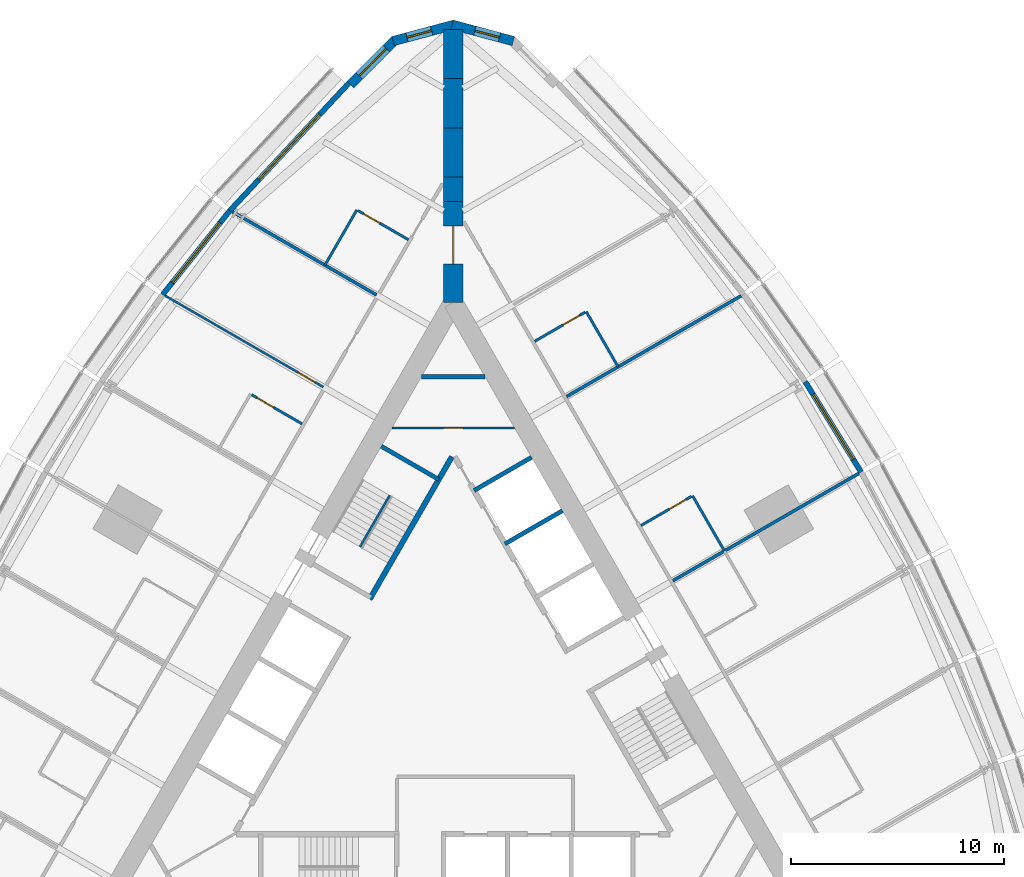
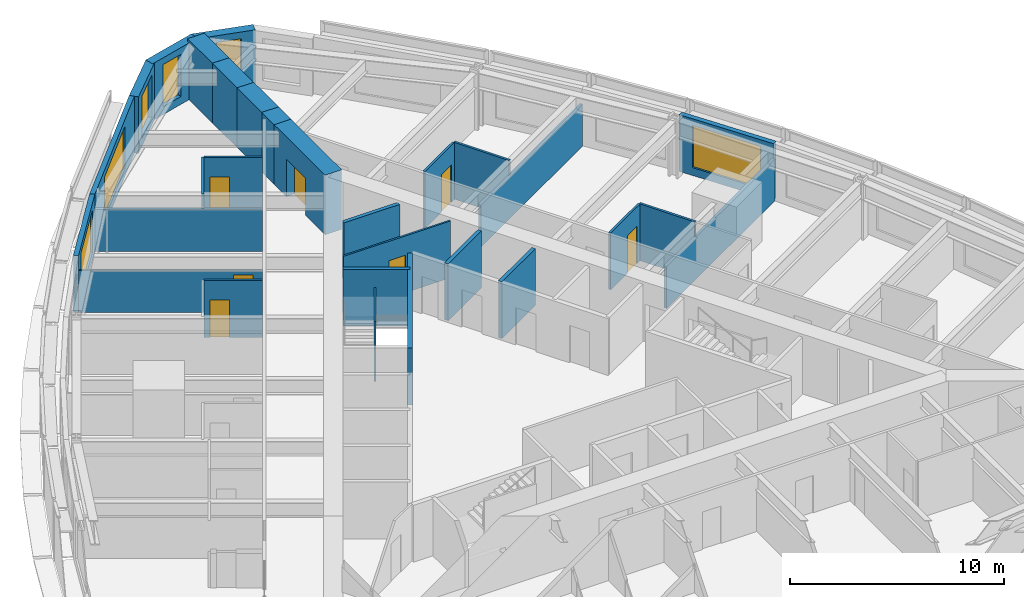
# One storey, part 12 of 14: 29 walls, 7 doors, 6 windows, 13 openings.
"""IFC4 building model written with IfcOpenShell, lengths in metres."""

from ifc_helpers import new_model, si_unit, direction, frame, frame_2d, origin, place, context, subcontext, project, spatial, polyline, rectangle, outline, extrude, material, layer, layer_set, type_object, element, fill, save


model = new_model("IFC4")

# Units and contexts
model_context = context("Model", 3, precision=1e-05, world=origin(), true_north=direction((0.0, 1.0)))
body_context = subcontext(model_context, "Body", "Model", "MODEL_VIEW")
ifc_project = project(units=[si_unit("LENGTHUNIT", "METRE"), si_unit("AREAUNIT", "SQUARE_METRE"), si_unit("VOLUMEUNIT", "CUBIC_METRE"), si_unit("PLANEANGLEUNIT", "RADIAN"), si_unit("MASSUNIT", "GRAM", prefix="KILO")], contexts=[model_context])

# Site, building, storey
site_placement = place(None, origin())
site = spatial("IfcSite", under=ifc_project, at=site_placement, CompositionType="ELEMENT")
building_placement = place(site_placement, origin())
building = spatial("IfcBuilding", under=site, at=building_placement, Name="Trikona Tower", CompositionType="ELEMENT")
storey_placement = place(building_placement, frame((0.0, 0.0, 96.5)))
storey = spatial("IfcBuildingStorey", under=building, at=storey_placement, Name="L25", CompositionType="ELEMENT", Elevation=96.5)

# Wall
ifc_material_1 = material(Name="Metal stud and cement board", Category="gypsum")
ifc_layer_1 = layer(ifc_material_1, 0.1201171875)
ifc_layer_set_1 = layer_set([ifc_layer_1], Name="Bathroom wall 120")
wall_type_1 = type_object("IfcWallType", Name="Bathroom wall 120", PredefinedType="PLUMBINGWALL", material=ifc_layer_set_1)
wall_1_placement = place(storey_placement, frame((12.75341796875, 7.363037109375, 0.0), z_axis=(0.0, 0.0, 1.0), x_axis=(-0.499990139034, 0.866031096941, 0.0)))
element("IfcWall", 1, at=wall_1_placement, inside=storey, type_object=wall_type_1, Name="Bathroom wall 2507", PredefinedType="PLUMBINGWALL", context=body_context, shape_type="SweptSolid", body=[
    extrude(rectangle(XDim=3.0, YDim=0.1201171875, at=frame_2d((1.5, 0.0))), origin(), (0.0, 0.0, 1.0), 3.235107421875),
])

# Wall, opening, door
wall_2_placement = place(storey_placement, frame((8.82861328125, 8.561279296875, 0.0), z_axis=(0.0, 0.0, 1.0), x_axis=(0.866035715982, 0.499982138324, 0.0)))
wall_2 = element("IfcWall", 2, at=wall_2_placement, inside=storey, type_object=wall_type_1, Name="Bathroom wall 2507", PredefinedType="PLUMBINGWALL", context=body_context, shape_type="SweptSolid", body=[
    extrude(rectangle(XDim=2.73974609375, YDim=0.1201171875, at=frame_2d((1.369873046875, 0.0))), origin(), (0.0, 0.0, 1.0), 3.235107421875),
])
opening_1_placement = place(wall_2_placement, frame((1.550048828125, 0.0, 0.0)))
opening_1 = element("IfcOpeningElement", 3, at=opening_1_placement, cuts=wall_2, Name="Opening D2", PredefinedType="OPENING", context=body_context, shape_type="SweptSolid", body=[
    extrude(rectangle(XDim=0.89990234375, YDim=2.1298828125, at=frame_2d((0.449951171875, 1.06494140625))), frame((0.0, 0.070068359375, 0.0), z_axis=(0.0, -1.0, 0.0), x_axis=(1.0, 0.0, 0.0)), (0.0, 0.0, 1.0), 0.14013671875),
])
ifc_material_2 = material(Name="Steel door frame with solid-core timber leaf", Category="steel")
door_type_1 = type_object("IfcDoorType", Name="Bathroom door 900x2130", OperationType="SLIDING_TO_LEFT", PredefinedType="DOOR", material=ifc_material_2)
door_1_placement = place(opening_1_placement, origin())
door_1 = element("IfcDoor", 4, at=door_1_placement, inside=storey, type_object=door_type_1, Name="Bathroom door 2507", OperationType="SLIDING_TO_LEFT", OverallHeight=2.1298828125, OverallWidth=0.89990234375, PredefinedType="DOOR", context=body_context, shape_type="SweptSolid", body=[
    extrude(rectangle(XDim=0.89990234375, YDim=2.1298828125, at=frame_2d((0.449951171875, 1.06494140625))), frame((0.0, 0.02490234375, 0.0), z_axis=(0.0, -1.0, 0.0), x_axis=(1.0, 0.0, 0.0)), (0.0, 0.0, 1.0), 0.050048828125),
])
fill(opening_1, door_1)

# Wall
wall_3_placement = place(storey_placement, frame((7.75341796875, 16.0234375, 0.0), z_axis=(0.0, 0.0, 1.0), x_axis=(-0.499990139034, 0.866031096941, 0.0)))
element("IfcWall", 5, at=wall_3_placement, inside=storey, type_object=wall_type_1, Name="Bathroom wall 2508.1", PredefinedType="PLUMBINGWALL", context=body_context, shape_type="SweptSolid", body=[
    extrude(rectangle(XDim=3.0, YDim=0.1201171875, at=frame_2d((1.5, 0.0))), origin(), (0.0, 0.0, 1.0), 3.235107421875),
])

# Wall, opening, door
wall_4_placement = place(storey_placement, frame((3.82861328125, 17.221435546875, 0.0), z_axis=(0.0, 0.0, 1.0), x_axis=(0.865997131366, 0.500048966069, 0.0)))
wall_4 = element("IfcWall", 6, at=wall_4_placement, inside=storey, type_object=wall_type_1, Name="Bathroom wall 2508.1", PredefinedType="PLUMBINGWALL", context=body_context, shape_type="SweptSolid", body=[
    extrude(rectangle(XDim=2.739990234375, YDim=0.1201171875, at=frame_2d((1.3701171875, 0.0))), origin(), (0.0, 0.0, 1.0), 3.235107421875),
])
opening_2_placement = place(wall_4_placement, frame((1.550048828125, 0.0, 0.0)))
opening_2 = element("IfcOpeningElement", 7, at=opening_2_placement, cuts=wall_4, Name="Opening D2", PredefinedType="OPENING", context=body_context, shape_type="SweptSolid", body=[
    extrude(rectangle(XDim=0.89990234375, YDim=2.1298828125, at=frame_2d((0.449951171875, 1.06494140625))), frame((0.0, 0.070068359375, 0.0), z_axis=(0.0, -1.0, 0.0), x_axis=(1.0, 0.0, 0.0)), (0.0, 0.0, 1.0), 0.14013671875),
])
door_2_placement = place(opening_2_placement, origin())
door_2 = element("IfcDoor", 8, at=door_2_placement, inside=storey, type_object=door_type_1, Name="Bathroom door 2508.1", OperationType="SLIDING_TO_LEFT", OverallHeight=2.1298828125, OverallWidth=0.89990234375, PredefinedType="DOOR", context=body_context, shape_type="SweptSolid", body=[
    extrude(rectangle(XDim=0.89990234375, YDim=2.1298828125, at=frame_2d((0.449951171875, 1.06494140625))), frame((0.0, 0.02490234375, 0.0), z_axis=(0.0, -1.0, 0.0), x_axis=(1.0, 0.0, 0.0)), (0.0, 0.0, 1.0), 0.050048828125),
])
fill(opening_2, door_2)

# Wall
wall_5_placement = place(storey_placement, frame((-4.53271484375, 23.401611328125, 0.0), z_axis=(0.0, 0.0, 1.0), x_axis=(-0.499990139034, -0.866031096941, 0.0)))
element("IfcWall", 9, at=wall_5_placement, inside=storey, type_object=wall_type_1, Name="Bathroom wall 2509", PredefinedType="PLUMBINGWALL", context=body_context, shape_type="SweptSolid", body=[
    extrude(rectangle(XDim=3.0, YDim=0.1201171875, at=frame_2d((1.5, 0.0))), origin(), (0.0, 0.0, 1.0), 3.235107421875),
])

# Wall, opening, door
wall_6_placement = place(storey_placement, frame((-2.10791015625, 22.001708984375, 0.0), z_axis=(0.0, 0.0, 1.0), x_axis=(-0.866035715982, 0.499982138324, 0.0)))
wall_6 = element("IfcWall", 10, at=wall_6_placement, inside=storey, type_object=wall_type_1, Name="Bathroom wall 2509", PredefinedType="PLUMBINGWALL", context=body_context, shape_type="SweptSolid", body=[
    extrude(rectangle(XDim=2.73974609375, YDim=0.1201171875, at=frame_2d((1.369873046875, 0.0))), origin(), (0.0, 0.0, 1.0), 3.235107421875),
])
opening_3_placement = place(wall_6_placement, frame((1.550048828125, 0.0, 0.0)))
opening_3 = element("IfcOpeningElement", 11, at=opening_3_placement, cuts=wall_6, Name="Opening D2", PredefinedType="OPENING", context=body_context, shape_type="SweptSolid", body=[
    extrude(rectangle(XDim=0.89990234375, YDim=2.1298828125, at=frame_2d((0.449951171875, 1.06494140625))), frame((0.0, 0.070068359375, 0.0), z_axis=(0.0, -1.0, 0.0), x_axis=(1.0, 0.0, 0.0)), (0.0, 0.0, 1.0), 0.14013671875),
])
door_3_placement = place(opening_3_placement, origin())
door_3 = element("IfcDoor", 12, at=door_3_placement, inside=storey, type_object=door_type_1, Name="Bathroom door 2509", OperationType="SLIDING_TO_LEFT", OverallHeight=2.1298828125, OverallWidth=0.89990234375, PredefinedType="DOOR", context=body_context, shape_type="SweptSolid", body=[
    extrude(rectangle(XDim=0.89990234375, YDim=2.1298828125, at=frame_2d((0.449951171875, 1.06494140625))), frame((0.0, 0.02490234375, 0.0), z_axis=(0.0, -1.0, 0.0), x_axis=(1.0, 0.0, 0.0)), (0.0, 0.0, 1.0), 0.050048828125),
])
fill(opening_3, door_3)

wall_7_placement = place(storey_placement, frame((-7.10791015625, 13.34130859375, 0.0), z_axis=(0.0, 0.0, 1.0), x_axis=(-0.866035715982, 0.499982138324, 0.0)))
wall_7 = element("IfcWall", 13, at=wall_7_placement, inside=storey, type_object=wall_type_1, Name="Bathroom wall 2510.1", PredefinedType="PLUMBINGWALL", context=body_context, shape_type="SweptSolid", body=[
    extrude(rectangle(XDim=2.73974609375, YDim=0.1201171875, at=frame_2d((1.369873046875, 0.0))), origin(), (0.0, 0.0, 1.0), 3.235107421875),
])
opening_4_placement = place(wall_7_placement, frame((1.550048828125, 0.0, 0.0)))
opening_4 = element("IfcOpeningElement", 14, at=opening_4_placement, cuts=wall_7, Name="Opening D2", PredefinedType="OPENING", context=body_context, shape_type="SweptSolid", body=[
    extrude(rectangle(XDim=0.89990234375, YDim=2.1298828125, at=frame_2d((0.449951171875, 1.06494140625))), frame((0.0, 0.070068359375, 0.0), z_axis=(0.0, -1.0, 0.0), x_axis=(1.0, 0.0, 0.0)), (0.0, 0.0, 1.0), 0.14013671875),
])
door_4_placement = place(opening_4_placement, origin())
door_4 = element("IfcDoor", 15, at=door_4_placement, inside=storey, type_object=door_type_1, Name="Bathroom door 2510.1", OperationType="SLIDING_TO_LEFT", OverallHeight=2.1298828125, OverallWidth=0.89990234375, PredefinedType="DOOR", context=body_context, shape_type="SweptSolid", body=[
    extrude(rectangle(XDim=0.89990234375, YDim=2.1298828125, at=frame_2d((0.449951171875, 1.06494140625))), frame((0.0, 0.02490234375, 0.0), z_axis=(0.0, -1.0, 0.0), x_axis=(1.0, 0.0, 0.0)), (0.0, 0.0, 1.0), 0.050048828125),
])
fill(opening_4, door_4)

# Wall, opening, window
ifc_material_3 = material(Name="Brick-faced precast concrete", Category="masonry")
ifc_layer_2 = layer(ifc_material_3, 0.449951171875)
ifc_layer_set_2 = layer_set([ifc_layer_2], Name="Brick-faced corner wall 450")
wall_type_2 = type_object("IfcWallType", Name="Brick-faced corner wall 450", PredefinedType="SOLIDWALL", material=ifc_layer_set_2)
wall_8_placement = place(storey_placement, frame((2.82861328125, 31.3408203125, 0.0), z_axis=(0.0, 0.0, 1.0), x_axis=(-0.965930548995, 0.258801419081, 0.0)))
wall_8 = element("IfcWall", 16, at=wall_8_placement, inside=storey, type_object=wall_type_2, Name="External wall L25-21", PredefinedType="SOLIDWALL", context=body_context, shape_type="SweptSolid", body=[
    extrude(outline(polyline([(2.988525390625, 0.22509765625), (2.92919921875, 0.22509765625), (2.4375, 0.09326171875), (2.40234375, 0.22509765625), (0.0, 0.22509765625), (0.0, -0.22509765625), (2.988525390625, -0.22509765625), (2.988525390625, 0.22509765625)])), origin(), (0.0, 0.0, 1.0), 3.235107421875),
])
opening_5_placement = place(wall_8_placement, frame((0.676025390625, 0.0, 0.449951171875)))
opening_5 = element("IfcOpeningElement", 17, at=opening_5_placement, cuts=wall_8, Name="Opening W1224", PredefinedType="OPENING", context=body_context, shape_type="SweptSolid", body=[
    extrude(rectangle(XDim=1.199951171875, YDim=2.39990234375, at=frame_2d((0.60009765625, 1.199951171875))), frame((0.0, 0.23486328125, 0.0), z_axis=(0.0, -1.0, 0.0), x_axis=(1.0, 0.0, 0.0)), (0.0, 0.0, 1.0), 0.469970703125),
])
ifc_material_4 = material(Name="Aluminium-framed double glazing", Category="aluminium")
window_type_1 = type_object("IfcWindowType", Name="Window 1200x2400", PartitioningType="SINGLE_PANEL", PredefinedType="WINDOW", material=ifc_material_4)
window_1_placement = place(opening_5_placement, origin())
window_1 = element("IfcWindow", 18, at=window_1_placement, inside=storey, type_object=window_type_1, Name="Window 2508", OverallHeight=2.39990234375, OverallWidth=1.199951171875, PartitioningType="SINGLE_PANEL", PredefinedType="WINDOW", context=body_context, shape_type="SweptSolid", body=[
    extrude(rectangle(XDim=1.199951171875, YDim=2.39990234375, at=frame_2d((0.60009765625, 1.199951171875))), frame((0.0, 0.030029296875, 0.0), z_axis=(0.0, -1.0, 0.0), x_axis=(1.0, 0.0, 0.0)), (0.0, 0.0, 1.0), 0.06005859375),
])
fill(opening_5, window_1)

wall_9_placement = place(storey_placement, frame((0.05810546875, 32.1142578125, 0.0), z_axis=(0.0, 0.0, 1.0), x_axis=(-0.965930548995, -0.258801419081, 0.0)))
wall_9 = element("IfcWall", 19, at=wall_9_placement, inside=storey, type_object=wall_type_2, Name="External wall L25-22", PredefinedType="SOLIDWALL", context=body_context, shape_type="SweptSolid", body=[
    extrude(outline(polyline([(2.988525390625, 0.22509765625), (0.58642578125, 0.22509765625), (0.551025390625, 0.09326171875), (0.059326171875, 0.22509765625), (0.0, 0.22509765625), (0.0, -0.22509765625), (2.988525390625, -0.22509765625), (2.988525390625, 0.22509765625)])), origin(), (0.0, 0.0, 1.0), 3.235107421875),
])
opening_6_placement = place(wall_9_placement, frame((1.112548828125, 0.0, 0.449951171875)))
opening_6 = element("IfcOpeningElement", 20, at=opening_6_placement, cuts=wall_9, Name="Opening W1224", PredefinedType="OPENING", context=body_context, shape_type="SweptSolid", body=[
    extrude(rectangle(XDim=1.199951171875, YDim=2.39990234375, at=frame_2d((0.60009765625, 1.199951171875))), frame((0.0, 0.23486328125, 0.0), z_axis=(0.0, -1.0, 0.0), x_axis=(1.0, 0.0, 0.0)), (0.0, 0.0, 1.0), 0.469970703125),
])
window_2_placement = place(opening_6_placement, origin())
window_2 = element("IfcWindow", 21, at=window_2_placement, inside=storey, type_object=window_type_1, Name="Window 2509", OverallHeight=2.39990234375, OverallWidth=1.199951171875, PartitioningType="SINGLE_PANEL", PredefinedType="WINDOW", context=body_context, shape_type="SweptSolid", body=[
    extrude(rectangle(XDim=1.199951171875, YDim=2.39990234375, at=frame_2d((0.60009765625, 1.199951171875))), frame((0.0, 0.030029296875, 0.0), z_axis=(0.0, -1.0, 0.0), x_axis=(1.0, 0.0, 0.0)), (0.0, 0.0, 1.0), 0.06005859375),
])
fill(opening_6, window_2)

wall_10_placement = place(storey_placement, frame((-2.727783203125, 31.39892578125, 0.0), z_axis=(0.0, 0.0, 1.0), x_axis=(-0.707106781187, -0.707106781187, 0.0)))
wall_10 = element("IfcWall", 22, at=wall_10_placement, inside=storey, type_object=wall_type_2, Name="External wall L25-23", PredefinedType="SOLIDWALL", context=body_context, shape_type="SweptSolid", body=[
    extrude(rectangle(XDim=2.98828125, YDim=0.449951171875, at=frame_2d((1.494140625, 0.0))), origin(), (0.0, 0.0, 1.0), 3.235107421875),
])
opening_7_placement = place(wall_10_placement, frame((0.59423828125, 0.0, 0.449951171875)))
opening_7 = element("IfcOpeningElement", 23, at=opening_7_placement, cuts=wall_10, Name="Opening W1824", PredefinedType="OPENING", context=body_context, shape_type="SweptSolid", body=[
    extrude(rectangle(XDim=1.800048828125, YDim=2.39990234375, at=frame_2d((0.89990234375, 1.199951171875))), frame((0.0, 0.23486328125, 0.0), z_axis=(0.0, -1.0, 0.0), x_axis=(1.0, 0.0, 0.0)), (0.0, 0.0, 1.0), 0.469970703125),
])
ifc_material_5 = material(Name="Aluminium-framed double glazing", Category="aluminium")
window_type_2 = type_object("IfcWindowType", Name="Window 1800x2400", PartitioningType="SINGLE_PANEL", PredefinedType="WINDOW", material=ifc_material_5)
window_3_placement = place(opening_7_placement, origin())
window_3 = element("IfcWindow", 24, at=window_3_placement, inside=storey, type_object=window_type_2, Name="Window 2509", OverallHeight=2.39990234375, OverallWidth=1.800048828125, PartitioningType="SINGLE_PANEL", PredefinedType="WINDOW", context=body_context, shape_type="SweptSolid", body=[
    extrude(rectangle(XDim=1.800048828125, YDim=2.39990234375, at=frame_2d((0.89990234375, 1.199951171875))), frame((0.0, 0.030029296875, 0.0), z_axis=(0.0, -1.0, 0.0), x_axis=(1.0, 0.0, 0.0)), (0.0, 0.0, 1.0), 0.06005859375),
])
fill(opening_7, window_3)

# Wall, opening, door
ifc_material_6 = material(Name="Concrete f'c 10000 psi", Category="concrete")
ifc_layer_3 = layer(ifc_material_6, 0.89990234375)
ifc_layer_set_3 = layer_set([ifc_layer_3], Name="Buttress wall 900")
wall_type_3 = type_object("IfcWallType", Name="Buttress wall 900", PredefinedType="SHEAR", material=ifc_layer_set_3)
wall_11_placement = place(storey_placement, frame((0.0, 19.052490234375, 0.0), z_axis=(0.0, 0.0, 1.0), x_axis=(0.0, 1.0, 0.0)))
wall_11 = element("IfcWall", 25, at=wall_11_placement, inside=storey, type_object=wall_type_3, Name="Buttress wall 2", PredefinedType="SHEAR", context=body_context, shape_type="SweptSolid", body=[
    extrude(rectangle(XDim=4.74609375, YDim=0.89990234375, at=frame_2d((2.373046875, 0.0))), origin(), (0.0, 0.0, 1.0), 3.39990234375),
])
opening_8_placement = place(wall_11_placement, frame((1.800048828125, 0.0, 0.0)))
opening_8 = element("IfcOpeningElement", 26, at=opening_8_placement, cuts=wall_11, Name="Opening D10", PredefinedType="OPENING", context=body_context, shape_type="SweptSolid", body=[
    extrude(rectangle(XDim=1.800048828125, YDim=2.1298828125, at=frame_2d((0.89990234375, 1.06494140625))), frame((0.0, 0.4599609375, 0.0), z_axis=(0.0, -1.0, 0.0), x_axis=(1.0, 0.0, 0.0)), (0.0, 0.0, 1.0), 0.919921875),
])
ifc_material_7 = material(Name="Hollow metal door and frame", Category="steel")
door_type_2 = type_object("IfcDoorType", Name="Cross-corridor door pair 1800x2130", OperationType="DOUBLE_DOOR_DOUBLE_SWING", PredefinedType="DOOR", material=ifc_material_7)
door_5_placement = place(opening_8_placement, origin())
door_5 = element("IfcDoor", 27, at=door_5_placement, inside=storey, type_object=door_type_2, Name="Cross-corridor door 2", OperationType="DOUBLE_DOOR_DOUBLE_SWING", OverallHeight=2.1298828125, OverallWidth=1.800048828125, PredefinedType="DOOR", context=body_context, shape_type="SweptSolid", body=[
    extrude(rectangle(XDim=1.800048828125, YDim=2.1298828125, at=frame_2d((0.89990234375, 1.06494140625))), frame((0.0, 0.02490234375, 0.0), z_axis=(0.0, -1.0, 0.0), x_axis=(1.0, 0.0, 0.0)), (0.0, 0.0, 1.0), 0.050048828125),
])
fill(opening_8, door_5)

# Walls
wall_12_placement = place(storey_placement, frame((0.0, 23.798583984375, 0.0), z_axis=(0.0, 0.0, 1.0), x_axis=(0.0, 1.0, 0.0)))
element("IfcWall", 28, at=wall_12_placement, inside=storey, type_object=wall_type_3, Name="Buttress wall 2 part 2", PredefinedType="SHEAR", context=body_context, shape_type="SweptSolid", body=[
    extrude(rectangle(XDim=1.15478515625, YDim=0.89990234375, at=frame_2d((0.577392578125, 0.0))), origin(), (0.0, 0.0, 1.0), 3.39990234375),
])
wall_13_placement = place(storey_placement, frame((0.0, 24.953369140625, 0.0), z_axis=(0.0, 0.0, 1.0), x_axis=(0.0, 1.0, 0.0)))
element("IfcWall", 29, at=wall_13_placement, inside=storey, type_object=wall_type_3, Name="Buttress wall 2 part 3", PredefinedType="SHEAR", context=body_context, shape_type="SweptSolid", body=[
    extrude(rectangle(XDim=2.309326171875, YDim=0.89990234375, at=frame_2d((1.15478515625, 0.0))), origin(), (0.0, 0.0, 1.0), 3.39990234375),
])
wall_14_placement = place(storey_placement, frame((0.0, 27.2626953125, 0.0), z_axis=(0.0, 0.0, 1.0), x_axis=(0.0, 1.0, 0.0)))
element("IfcWall", 30, at=wall_14_placement, inside=storey, type_object=wall_type_3, Name="Buttress wall 2 part 4", PredefinedType="SHEAR", context=body_context, shape_type="SweptSolid", body=[
    extrude(rectangle(XDim=2.3095703125, YDim=0.89990234375, at=frame_2d((1.15478515625, 0.0))), origin(), (0.0, 0.0, 1.0), 3.39990234375),
])
wall_15_placement = place(storey_placement, frame((0.0, 29.572265625, 0.0), z_axis=(0.0, 0.0, 1.0), x_axis=(0.0, 1.0, 0.0)))
element("IfcWall", 31, at=wall_15_placement, inside=storey, type_object=wall_type_3, Name="Buttress wall 2 part 5", PredefinedType="SHEAR", context=body_context, shape_type="SweptSolid", body=[
    extrude(rectangle(XDim=2.309326171875, YDim=0.89990234375, at=frame_2d((1.15478515625, 0.0))), origin(), (0.0, 0.0, 1.0), 3.39990234375),
])
ifc_material_8 = material(Name="Concrete f'c 8000 psi", Category="concrete")
ifc_layer_4 = layer(ifc_material_8, 0.25)
ifc_layer_set_4 = layer_set([ifc_layer_4], Name="Hub wall 250")
wall_type_4 = type_object("IfcWallType", Name="Hub wall 250", PredefinedType="SOLIDWALL", material=ifc_layer_set_4)
wall_16_placement = place(storey_placement, frame((-0.0625, 11.794189453125, 0.0), z_axis=(0.0, 0.0, 1.0), x_axis=(-0.500006680225, -0.86602154692, 0.0)))
element("IfcWall", 32, at=wall_16_placement, inside=storey, type_object=wall_type_4, Name="Lift lobby wall C1", PredefinedType="SOLIDWALL", context=body_context, shape_type="SweptSolid", body=[
    extrude(rectangle(XDim=7.73291015625, YDim=0.25, at=frame_2d((3.866455078125, 0.0))), origin(), (0.0, 0.0, 1.0), 3.235107421875),
])

# Wall, opening, window
ifc_material_9 = material(Name="Insulated precast concrete spandrel panel", Category="concrete")
ifc_layer_5 = layer(ifc_material_9, 0.25)
ifc_layer_set_5 = layer_set([ifc_layer_5], Name="Inner skin wall 250")
wall_type_5 = type_object("IfcWallType", Name="Inner skin wall 250", PredefinedType="STANDARD", material=ifc_layer_set_5)
wall_17_placement = place(storey_placement, frame((19.182373046875, 11.070556640625, 0.0), z_axis=(0.0, 0.0, 1.0), x_axis=(-0.526132807704, 0.850402415717, 0.0)))
wall_17 = element("IfcWall", 33, at=wall_17_placement, inside=storey, type_object=wall_type_5, Name="External wall L25-16", PredefinedType="STANDARD", context=body_context, shape_type="SweptSolid", body=[
    extrude(rectangle(XDim=5.002197265625, YDim=0.25, at=frame_2d((2.5009765625, 0.0))), origin(), (0.0, 0.0, 1.0), 3.235107421875),
])
opening_9_placement = place(wall_17_placement, frame((0.701171875, 0.0, 0.449951171875)))
opening_9 = element("IfcOpeningElement", 34, at=opening_9_placement, cuts=wall_17, Name="Opening W3624", PredefinedType="OPENING", context=body_context, shape_type="SweptSolid", body=[
    extrude(rectangle(XDim=3.60009765625, YDim=2.39990234375, at=frame_2d((1.800048828125, 1.199951171875))), frame((0.0, 0.135009765625, 0.0), z_axis=(0.0, -1.0, 0.0), x_axis=(1.0, 0.0, 0.0)), (0.0, 0.0, 1.0), 0.27001953125),
])
ifc_material_10 = material(Name="Aluminium-framed double glazing", Category="aluminium")
window_type_3 = type_object("IfcWindowType", Name="Window 3600x2400", PartitioningType="SINGLE_PANEL", PredefinedType="WINDOW", material=ifc_material_10)
window_4_placement = place(opening_9_placement, origin())
window_4 = element("IfcWindow", 35, at=window_4_placement, inside=storey, type_object=window_type_3, Name="Window 2507", OverallHeight=2.39990234375, OverallWidth=3.60009765625, PartitioningType="SINGLE_PANEL", PredefinedType="WINDOW", context=body_context, shape_type="SweptSolid", body=[
    extrude(rectangle(XDim=3.60009765625, YDim=2.39990234375, at=frame_2d((1.800048828125, 1.199951171875))), frame((0.0, 0.030029296875, 0.0), z_axis=(0.0, -1.0, 0.0), x_axis=(1.0, 0.0, 0.0)), (0.0, 0.0, 1.0), 0.06005859375),
])
fill(opening_9, window_4)

wall_18_placement = place(storey_placement, frame((-4.90869140625, 29.359619140625, 0.0), z_axis=(0.0, 0.0, 1.0), x_axis=(-0.682289646561, -0.731081964075, 0.0)))
wall_18 = element("IfcWall", 36, at=wall_18_placement, inside=storey, type_object=wall_type_5, Name="External wall L25-24", PredefinedType="STANDARD", context=body_context, shape_type="SweptSolid", body=[
    extrude(rectangle(XDim=8.2109375, YDim=0.25, at=frame_2d((4.10546875, 0.0))), origin(), (0.0, 0.0, 1.0), 3.235107421875),
])
opening_10_placement = place(wall_18_placement, frame((2.005615234375, 0.0, 0.449951171875)))
opening_10 = element("IfcOpeningElement", 37, at=opening_10_placement, cuts=wall_18, Name="Opening W4224", PredefinedType="OPENING", context=body_context, shape_type="SweptSolid", body=[
    extrude(rectangle(XDim=4.199951171875, YDim=2.39990234375, at=frame_2d((2.10009765625, 1.199951171875))), frame((0.0, 0.135009765625, 0.0), z_axis=(0.0, -1.0, 0.0), x_axis=(1.0, 0.0, 0.0)), (0.0, 0.0, 1.0), 0.27001953125),
])
ifc_material_11 = material(Name="Aluminium-framed double glazing", Category="aluminium")
window_type_4 = type_object("IfcWindowType", Name="Window 4200x2400", PartitioningType="SINGLE_PANEL", PredefinedType="WINDOW", material=ifc_material_11)
window_5_placement = place(opening_10_placement, origin())
window_5 = element("IfcWindow", 38, at=window_5_placement, inside=storey, type_object=window_type_4, Name="Window 2509", OverallHeight=2.39990234375, OverallWidth=4.199951171875, PartitioningType="SINGLE_PANEL", PredefinedType="WINDOW", context=body_context, shape_type="SweptSolid", body=[
    extrude(rectangle(XDim=4.199951171875, YDim=2.39990234375, at=frame_2d((2.10009765625, 1.199951171875))), frame((0.0, 0.030029296875, 0.0), z_axis=(0.0, -1.0, 0.0), x_axis=(1.0, 0.0, 0.0)), (0.0, 0.0, 1.0), 0.06005859375),
])
fill(opening_10, window_5)

wall_19_placement = place(storey_placement, frame((-10.5048828125, 23.36376953125, 0.0), z_axis=(0.0, 0.0, 1.0), x_axis=(-0.624594965756, -0.780948864364, 0.0)))
wall_19 = element("IfcWall", 39, at=wall_19_placement, inside=storey, type_object=wall_type_5, Name="External wall L25-25", PredefinedType="STANDARD", context=body_context, shape_type="SweptSolid", body=[
    extrude(rectangle(XDim=5.0576171875, YDim=0.25, at=frame_2d((2.52880859375, 0.0))), origin(), (0.0, 0.0, 1.0), 3.235107421875),
])
opening_11_placement = place(wall_19_placement, frame((0.728759765625, 0.0, 0.449951171875)))
opening_11 = element("IfcOpeningElement", 40, at=opening_11_placement, cuts=wall_19, Name="Opening W3624", PredefinedType="OPENING", context=body_context, shape_type="SweptSolid", body=[
    extrude(rectangle(XDim=3.60009765625, YDim=2.39990234375, at=frame_2d((1.800048828125, 1.199951171875))), frame((0.0, 0.135009765625, 0.0), z_axis=(0.0, -1.0, 0.0), x_axis=(1.0, 0.0, 0.0)), (0.0, 0.0, 1.0), 0.27001953125),
])
window_6_placement = place(opening_11_placement, origin())
window_6 = element("IfcWindow", 41, at=window_6_placement, inside=storey, type_object=window_type_3, Name="Window 2510", OverallHeight=2.39990234375, OverallWidth=3.60009765625, PartitioningType="SINGLE_PANEL", PredefinedType="WINDOW", context=body_context, shape_type="SweptSolid", body=[
    extrude(rectangle(XDim=3.60009765625, YDim=2.39990234375, at=frame_2d((1.800048828125, 1.199951171875))), frame((0.0, 0.030029296875, 0.0), z_axis=(0.0, -1.0, 0.0), x_axis=(1.0, 0.0, 0.0)), (0.0, 0.0, 1.0), 0.06005859375),
])
fill(opening_11, window_6)

# Walls
ifc_material_12 = material(Name="Metal stud and gypsum board, 1-hour acoustic", Category="gypsum")
ifc_layer_6 = layer(ifc_material_12, 0.14990234375)
ifc_layer_set_6 = layer_set([ifc_layer_6], Name="Party wall 150")
wall_type_6 = type_object("IfcWallType", Name="Party wall 150", PredefinedType="PARTITIONING", material=ifc_layer_set_6)
wall_20_placement = place(storey_placement, frame((10.32861328125, 5.963134765625, 0.0), z_axis=(0.0, 0.0, 1.0), x_axis=(0.866021688545, 0.500006434927, 0.0)))
element("IfcWall", 42, at=wall_20_placement, inside=storey, type_object=wall_type_6, Name="Partition L25 F2 u0", PredefinedType="PARTITIONING", context=body_context, shape_type="SweptSolid", body=[
    extrude(rectangle(XDim=10.095947265625, YDim=0.14990234375, at=frame_2d((5.0478515625, 0.0))), origin(), (0.0, 0.0, 1.0), 2.38916015625),
])
wall_21_placement = place(storey_placement, frame((5.32861328125, 14.623291015625, 0.0), z_axis=(0.0, 0.0, 1.0), x_axis=(0.866018409083, 0.500012114982, 0.0)))
element("IfcWall", 43, at=wall_21_placement, inside=storey, type_object=wall_type_6, Name="Partition L25 F2 u10", PredefinedType="PARTITIONING", context=body_context, shape_type="SweptSolid", body=[
    extrude(rectangle(XDim=9.484619140625, YDim=0.14990234375, at=frame_2d((4.7421875, 0.0))), origin(), (0.0, 0.0, 1.0), 2.38916015625),
])
wall_22_placement = place(storey_placement, frame((-3.60791015625, 19.403564453125, 0.0), z_axis=(0.0, 0.0, 1.0), x_axis=(-0.866021300503, 0.500007107024, 0.0)))
element("IfcWall", 44, at=wall_22_placement, inside=storey, type_object=wall_type_6, Name="Partition L25 F3 u-15", PredefinedType="PARTITIONING", context=body_context, shape_type="SweptSolid", body=[
    extrude(rectangle(XDim=7.8203125, YDim=0.14990234375, at=frame_2d((3.91015625, 0.0))), origin(), (0.0, 0.0, 1.0), 2.38916015625),
])
ifc_material_13 = material(Name="Concrete f'c 8000 psi", Category="concrete")
ifc_layer_7 = layer(ifc_material_13, 0.199951171875)
ifc_layer_set_7 = layer_set([ifc_layer_7], Name="Shaft wall 200")
wall_type_7 = type_object("IfcWallType", Name="Shaft wall 200", PredefinedType="SOLIDWALL", material=ifc_layer_set_7)
for number, where, z_axis, x_axis, name in (
    (45, (2.428955078125, 7.695556640625, 0.0), (0.0, 0.0, 1.0), (0.866022959057, 0.500004234368, 0.0), "Shaft wall B5"),
    (46, (0.97900390625, 10.20703125, 0.0), (0.0, 0.0, 1.0), (0.866022959057, 0.500004234368, 0.0), "Shaft wall B6"),
):
    element("IfcWall", number, at=place(storey_placement, frame(where, z_axis=z_axis, x_axis=x_axis)), inside=storey, type_object=wall_type_7, Name=name, PredefinedType="SOLIDWALL", context=body_context, shape_type="SweptSolid", body=[
        extrude(rectangle(XDim=3.125, YDim=0.199951171875, at=frame_2d((1.5625, 0.0))), origin(), (0.0, 0.0, 1.0), 3.235107421875),
    ])
wall_23_placement = place(storey_placement, frame((-1.501220703125, 15.552490234375, 0.0), z_axis=(0.0, 0.0, 1.0), x_axis=(1.0, 0.0, 0.0)))
element("IfcWall", 47, at=wall_23_placement, inside=storey, type_object=wall_type_7, Name="Riser wall L25-RS2", PredefinedType="SOLIDWALL", context=body_context, shape_type="SweptSolid", body=[
    extrude(rectangle(XDim=3.00244140625, YDim=0.199951171875, at=frame_2d((1.501220703125, 0.0))), origin(), (0.0, 0.0, 1.0), 3.235107421875),
])
ifc_material_14 = material(Name="Concrete f'c 8000 psi", Category="concrete")
ifc_layer_8 = layer(ifc_material_14, 0.199951171875)
ifc_layer_set_8 = layer_set([ifc_layer_8], Name="Shaft wall 200 load-bearing")
wall_type_8 = type_object("IfcWallType", Name="Shaft wall 200 load-bearing", PredefinedType="SOLIDWALL", material=ifc_layer_set_8)
wall_24_placement = place(storey_placement, frame((-0.678955078125, 10.7265625, 0.0), z_axis=(0.0, 0.0, 1.0), x_axis=(-0.866022959057, 0.500004234368, 0.0)))
element("IfcWall", 48, at=wall_24_placement, inside=storey, type_object=wall_type_8, Name="Shaft wall C1", PredefinedType="SOLIDWALL", context=body_context, shape_type="SweptSolid", body=[
    extrude(rectangle(XDim=3.125, YDim=0.199951171875, at=frame_2d((1.5625, 0.0))), origin(), (0.0, 0.0, 1.0), 3.235107421875),
])
ifc_material_15 = material(Name="Concrete f'c 5000 psi", Category="concrete")
ifc_layer_9 = layer(ifc_material_15, 0.10009765625)
ifc_layer_set_9 = layer_set([ifc_layer_9], Name="Stair spine wall 100")
wall_type_9 = type_object("IfcWallType", Name="Stair spine wall 100", PredefinedType="SOLIDWALL", material=ifc_layer_set_9)
wall_25_placement = place(storey_placement, frame((-2.98779296875, 9.9775390625, 0.0), z_axis=(0.0, 0.0, 1.0), x_axis=(-0.499992232847, -0.866029888106, 0.0)))
element("IfcWall", 49, at=wall_25_placement, inside=storey, type_object=wall_type_9, Name="Stair C spine wall L25", PredefinedType="SOLIDWALL", context=body_context, shape_type="SweptSolid", body=[
    extrude(rectangle(XDim=2.7939453125, YDim=0.10009765625, at=frame_2d((1.39697265625, 0.0))), origin(), (0.0, 0.0, 1.0), 3.39990234375),
])

# Wall, opening, door
ifc_material_16 = material(Name="Metal stud and gypsum board, acoustic", Category="gypsum")
ifc_layer_10 = layer(ifc_material_16, 0.10009765625)
ifc_layer_set_10 = layer_set([ifc_layer_10], Name="Suite partition 100")
wall_type_10 = type_object("IfcWallType", Name="Suite partition 100", PredefinedType="PARTITIONING", material=ifc_layer_set_10)
wall_26_placement = place(storey_placement, frame((-6.10791015625, 15.073486328125, 0.0), z_axis=(0.0, 0.0, 1.0), x_axis=(-0.866031196456, 0.499989966665, 0.0)))
wall_26 = element("IfcWall", 50, at=wall_26_placement, inside=storey, type_object=wall_type_10, Name="Suite partition L25 F3 u-10", PredefinedType="PARTITIONING", context=body_context, shape_type="SweptSolid", body=[
    extrude(rectangle(XDim=8.584716796875, YDim=0.10009765625, at=frame_2d((4.29248046875, 0.0))), origin(), (0.0, 0.0, 1.0), 2.38916015625),
])
opening_12_placement = place(wall_26_placement, frame((0.449951171875, 0.0, 0.0)))
opening_12 = element("IfcOpeningElement", 51, at=opening_12_placement, cuts=wall_26, Name="Opening D13", PredefinedType="OPENING", context=body_context, shape_type="SweptSolid", body=[
    extrude(rectangle(XDim=0.89990234375, YDim=2.1298828125, at=frame_2d((0.449951171875, 1.06494140625))), frame((0.0, 0.06005859375, 0.0), z_axis=(0.0, -1.0, 0.0), x_axis=(1.0, 0.0, 0.0)), (0.0, 0.0, 1.0), 0.1201171875),
])
ifc_material_17 = material(Name="Steel door frame with solid-core timber leaf", Category="steel")
door_type_3 = type_object("IfcDoorType", Name="Suite door 900x2130", OperationType="SINGLE_SWING_LEFT", PredefinedType="DOOR", material=ifc_material_17)
door_6_placement = place(opening_12_placement, origin())
door_6 = element("IfcDoor", 52, at=door_6_placement, inside=storey, type_object=door_type_3, Name="Suite door 2510", OperationType="SINGLE_SWING_LEFT", OverallHeight=2.1298828125, OverallWidth=0.89990234375, PredefinedType="DOOR", context=body_context, shape_type="SweptSolid", body=[
    extrude(rectangle(XDim=0.89990234375, YDim=2.1298828125, at=frame_2d((0.449951171875, 1.06494140625))), frame((0.0, 0.02490234375, 0.0), z_axis=(0.0, -1.0, 0.0), x_axis=(1.0, 0.0, 0.0)), (0.0, 0.0, 1.0), 0.050048828125),
])
fill(opening_12, door_6)

wall_27_placement = place(storey_placement, frame((-2.88671875, 13.152587890625, 0.0), z_axis=(0.0, 0.0, 1.0), x_axis=(1.0, 0.0, 0.0)))
wall_27 = element("IfcWall", 53, at=wall_27_placement, inside=storey, type_object=wall_type_10, Name="Store partition L25-RS2", PredefinedType="PARTITIONING", context=body_context, shape_type="SweptSolid", body=[
    extrude(rectangle(XDim=5.7734375, YDim=0.10009765625, at=frame_2d((2.88671875, 0.0))), origin(), (0.0, 0.0, 1.0), 3.235107421875),
])
opening_13_placement = place(wall_27_placement, frame((2.436767578125, 0.0, 0.0)))
opening_13 = element("IfcOpeningElement", 54, at=opening_13_placement, cuts=wall_27, Name="Opening D15", PredefinedType="OPENING", context=body_context, shape_type="SweptSolid", body=[
    extrude(rectangle(XDim=0.89990234375, YDim=2.1298828125, at=frame_2d((0.449951171875, 1.06494140625))), frame((0.0, 0.06005859375, 0.0), z_axis=(0.0, -1.0, 0.0), x_axis=(1.0, 0.0, 0.0)), (0.0, 0.0, 1.0), 0.1201171875),
])
ifc_material_18 = material(Name="Steel door frame with solid-core timber leaf", Category="steel")
door_type_4 = type_object("IfcDoorType", Name="Store door 900x2130", OperationType="SINGLE_SWING_LEFT", PredefinedType="DOOR", material=ifc_material_18)
door_7_placement = place(opening_13_placement, origin())
door_7 = element("IfcDoor", 55, at=door_7_placement, inside=storey, type_object=door_type_4, Name="Door Amenity store AMS", OperationType="SINGLE_SWING_RIGHT", OverallHeight=2.1298828125, OverallWidth=0.89990234375, PredefinedType="DOOR", context=body_context, shape_type="SweptSolid", body=[
    extrude(rectangle(XDim=0.89990234375, YDim=2.1298828125, at=frame_2d((0.449951171875, 1.06494140625))), frame((0.0, 0.02490234375, 0.0), z_axis=(0.0, -1.0, 0.0), x_axis=(1.0, 0.0, 0.0)), (0.0, 0.0, 1.0), 0.050048828125),
])
fill(opening_13, door_7)

save(model, "model.ifc")
